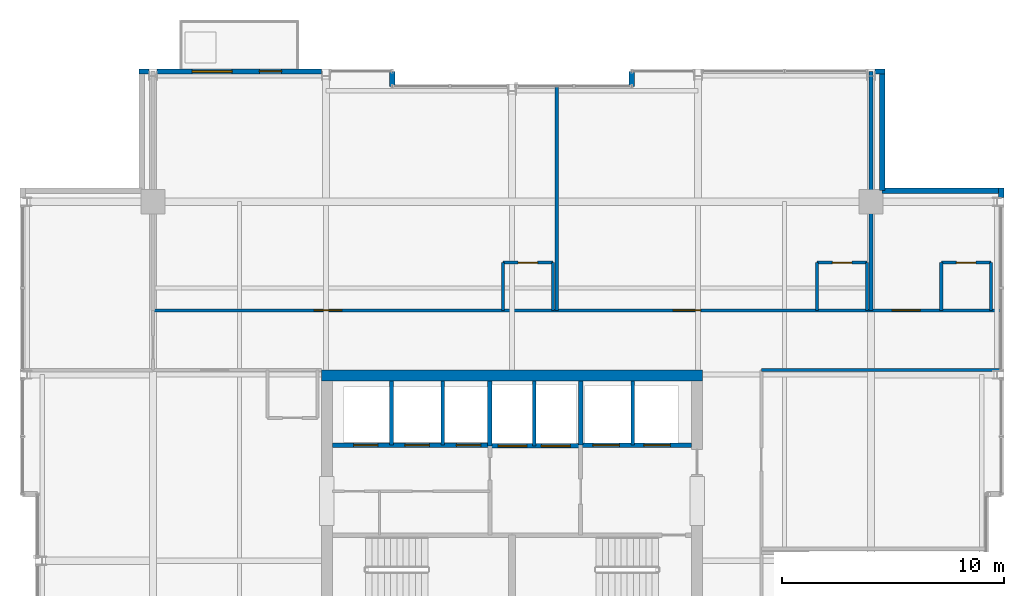
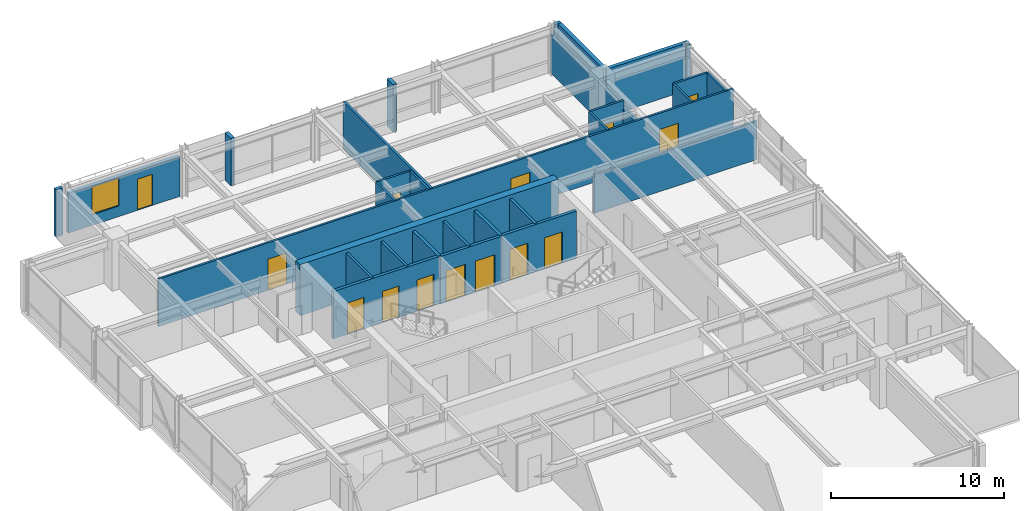
# One storey, part 27 of 31: 31 walls, 14 doors, 1 window, 15 openings.
"""IFC4 building model written with IfcOpenShell, lengths in metres."""

from ifc_helpers import new_model, si_unit, direction, frame, frame_2d, origin, place, context, subcontext, project, spatial, rectangle, extrude, material, layer, layer_set, type_object, element, fill, save


model = new_model("IFC4")

# Units and contexts
model_context = context("Model", 3, precision=1e-05, world=origin(), true_north=direction((0.0, 1.0)))
body_context = subcontext(model_context, "Body", "Model", "MODEL_VIEW")
ifc_project = project(units=[si_unit("LENGTHUNIT", "METRE"), si_unit("AREAUNIT", "SQUARE_METRE"), si_unit("VOLUMEUNIT", "CUBIC_METRE"), si_unit("PLANEANGLEUNIT", "RADIAN"), si_unit("MASSUNIT", "GRAM", prefix="KILO")], contexts=[model_context])

# Site, building, storey
site_placement = place(None, origin())
site = spatial("IfcSite", under=ifc_project, at=site_placement, CompositionType="ELEMENT")
building_placement = place(site_placement, origin())
building = spatial("IfcBuilding", under=site, at=building_placement, Name="Drelvath Grand Hotel", CompositionType="ELEMENT")
storey_placement = place(building_placement, frame((0.0, 0.0, 219.5)))
storey = spatial("IfcBuildingStorey", under=building, at=storey_placement, Name="L57", CompositionType="ELEMENT", Elevation=219.5)

# Wall, openings, doors
ifc_material_1 = material(Name="Concrete C40/50", Category="concrete")
ifc_layer_1 = layer(ifc_material_1, 0.199951171875)
ifc_layer_set_1 = layer_set([ifc_layer_1], Name="Concrete C40/50")
wall_type_1 = type_object("IfcWallType", Name="Core Hoistway Fire Wall 200", PredefinedType="SOLIDWALL", material=ifc_layer_set_1)
wall_1_placement = place(storey_placement, frame((3.10009765625, 32.219970703125, 0.0), z_axis=(0.0, 0.0, 1.0), x_axis=(1.0, 0.0, 0.0)))
wall_1 = element("IfcWall", 1, at=wall_1_placement, inside=storey, type_object=wall_type_1, Name="L57 FSAE Hoistway Front Wall", PredefinedType="SOLIDWALL", context=body_context, shape_type="SweptSolid", body=[
    extrude(rectangle(XDim=5.0, YDim=0.199951171875, at=frame_2d((2.5, 0.0))), origin(), (0.0, 0.0, 1.0), 3.340087890625),
])
opening_1_placement = place(wall_1_placement, frame((0.550048828125, 0.0, 0.0)))
opening_1 = element("IfcOpeningElement", 2, at=opening_1_placement, cuts=wall_1, Name="Opening LD-FSAE-1", PredefinedType="OPENING", context=body_context, shape_type="SweptSolid", body=[
    extrude(rectangle(XDim=1.199951171875, YDim=2.199951171875, at=frame_2d((0.60009765625, 1.10009765625))), frame((0.0, 0.10986328125, 0.0), z_axis=(0.0, -1.0, 0.0), x_axis=(1.0, 0.0, 0.0)), (0.0, 0.0, 1.0), 0.219970703125),
])
opening_2_placement = place(wall_1_placement, frame((2.85009765625, 0.0, 0.0)))
opening_2 = element("IfcOpeningElement", 3, at=opening_2_placement, cuts=wall_1, Name="Opening LD-FSAE-2", PredefinedType="OPENING", context=body_context, shape_type="SweptSolid", body=[
    extrude(rectangle(XDim=1.199951171875, YDim=2.199951171875, at=frame_2d((0.60009765625, 1.10009765625))), frame((0.0, 0.10986328125, 0.0), z_axis=(0.0, -1.0, 0.0), x_axis=(1.0, 0.0, 0.0)), (0.0, 0.0, 1.0), 0.219970703125),
])
ifc_material_2 = material(Name="Stainless Steel S355", Category="steel")
door_type_1 = type_object("IfcDoorType", Name="FSAE Lift Sliding Landing Door 1200x2200", OperationType="NOTDEFINED", PredefinedType="DOOR", material=ifc_material_2)
door_1_placement = place(opening_1_placement, origin())
door_1 = element("IfcDoor", 4, at=door_1_placement, inside=storey, type_object=door_type_1, Name="L57 Lift FSAE-1 Landing Door", OperationType="SLIDING_TO_LEFT", OverallHeight=2.199951171875, OverallWidth=1.199951171875, PredefinedType="DOOR", context=body_context, shape_type="SweptSolid", body=[
    extrude(rectangle(XDim=1.199951171875, YDim=2.199951171875, at=frame_2d((0.60009765625, 1.10009765625))), frame((0.0, 0.02490234375, 0.0), z_axis=(0.0, -1.0, 0.0), x_axis=(1.0, 0.0, 0.0)), (0.0, 0.0, 1.0), 0.050048828125),
])
fill(opening_1, door_1)
door_2_placement = place(opening_2_placement, origin())
door_2 = element("IfcDoor", 5, at=door_2_placement, inside=storey, type_object=door_type_1, Name="L57 Lift FSAE-2 Landing Door", OperationType="SLIDING_TO_LEFT", OverallHeight=2.199951171875, OverallWidth=1.199951171875, PredefinedType="DOOR", context=body_context, shape_type="SweptSolid", body=[
    extrude(rectangle(XDim=1.199951171875, YDim=2.199951171875, at=frame_2d((0.60009765625, 1.10009765625))), frame((0.0, 0.02490234375, 0.0), z_axis=(0.0, -1.0, 0.0), x_axis=(1.0, 0.0, 0.0)), (0.0, 0.0, 1.0), 0.050048828125),
])
fill(opening_2, door_2)

# Wall
wall_2_placement = place(storey_placement, frame((3.10009765625, 32.219970703125, 0.0), z_axis=(0.0, 0.0, 1.0), x_axis=(0.0, 1.0, 0.0)))
element("IfcWall", 6, at=wall_2_placement, inside=storey, type_object=wall_type_1, Name="L57 FSAE Hoistway West Wall", PredefinedType="SOLIDWALL", context=body_context, shape_type="SweptSolid", body=[
    extrude(rectangle(XDim=2.880126953125, YDim=0.199951171875, at=frame_2d((1.43994140625, 0.0))), origin(), (0.0, 0.0, 1.0), 3.340087890625),
])

# Wall, openings, doors
wall_3_placement = place(storey_placement, frame((-1.0, 32.179931640625, 0.0), z_axis=(0.0, 0.0, 1.0), x_axis=(1.0, 0.0, 0.0)))
wall_3 = element("IfcWall", 7, at=wall_3_placement, inside=storey, type_object=wall_type_1, Name="L57 Service Lift Hoistway Wall", PredefinedType="SOLIDWALL", context=body_context, shape_type="SweptSolid", body=[
    extrude(rectangle(XDim=4.10009765625, YDim=0.199951171875, at=frame_2d((2.050048828125, 0.0))), origin(), (0.0, 0.0, 1.0), 3.340087890625),
])
opening_3_placement = place(wall_3_placement, frame((0.3701171875, 0.0, 0.0)))
opening_3 = element("IfcOpeningElement", 8, at=opening_3_placement, cuts=wall_3, Name="Opening LD-SV-2", PredefinedType="OPENING", context=body_context, shape_type="SweptSolid", body=[
    extrude(rectangle(XDim=1.300048828125, YDim=2.199951171875, at=frame_2d((0.64990234375, 1.10009765625))), frame((0.0, 0.10986328125, 0.0), z_axis=(0.0, -1.0, 0.0), x_axis=(1.0, 0.0, 0.0)), (0.0, 0.0, 1.0), 0.219970703125),
])
opening_4_placement = place(wall_3_placement, frame((2.330078125, 0.0, 0.0)))
opening_4 = element("IfcOpeningElement", 9, at=opening_4_placement, cuts=wall_3, Name="Opening LD-SV-1", PredefinedType="OPENING", context=body_context, shape_type="SweptSolid", body=[
    extrude(rectangle(XDim=1.300048828125, YDim=2.199951171875, at=frame_2d((0.64990234375, 1.10009765625))), frame((0.0, 0.10986328125, 0.0), z_axis=(0.0, -1.0, 0.0), x_axis=(1.0, 0.0, 0.0)), (0.0, 0.0, 1.0), 0.219970703125),
])
door_type_2 = type_object("IfcDoorType", Name="Service Lift Sliding Landing Door 1300x2200", OperationType="NOTDEFINED", PredefinedType="DOOR", material=ifc_material_2)
door_3_placement = place(opening_3_placement, origin())
door_3 = element("IfcDoor", 10, at=door_3_placement, inside=storey, type_object=door_type_2, Name="L57 Lift SV-2 Landing Door", OperationType="SLIDING_TO_LEFT", OverallHeight=2.199951171875, OverallWidth=1.300048828125, PredefinedType="DOOR", context=body_context, shape_type="SweptSolid", body=[
    extrude(rectangle(XDim=1.300048828125, YDim=2.199951171875, at=frame_2d((0.64990234375, 1.10009765625))), frame((0.0, 0.02490234375, 0.0), z_axis=(0.0, -1.0, 0.0), x_axis=(1.0, 0.0, 0.0)), (0.0, 0.0, 1.0), 0.050048828125),
])
fill(opening_3, door_3)
door_4_placement = place(opening_4_placement, origin())
door_4 = element("IfcDoor", 11, at=door_4_placement, inside=storey, type_object=door_type_2, Name="L57 Lift SV-1 Landing Door", OperationType="SLIDING_TO_LEFT", OverallHeight=2.199951171875, OverallWidth=1.300048828125, PredefinedType="DOOR", context=body_context, shape_type="SweptSolid", body=[
    extrude(rectangle(XDim=1.300048828125, YDim=2.199951171875, at=frame_2d((0.64990234375, 1.10009765625))), frame((0.0, 0.02490234375, 0.0), z_axis=(0.0, -1.0, 0.0), x_axis=(1.0, 0.0, 0.0)), (0.0, 0.0, 1.0), 0.050048828125),
])
fill(opening_4, door_4)

# Wall
wall_4_placement = place(storey_placement, frame((-1.0, 32.179931640625, 0.0), z_axis=(0.0, 0.0, 1.0), x_axis=(0.0, 1.0, 0.0)))
element("IfcWall", 12, at=wall_4_placement, inside=storey, type_object=wall_type_1, Name="L57 Service Lift West Wall", PredefinedType="SOLIDWALL", context=body_context, shape_type="SweptSolid", body=[
    extrude(rectangle(XDim=2.920166015625, YDim=0.199951171875, at=frame_2d((1.4599609375, 0.0))), origin(), (0.0, 0.0, 1.0), 3.340087890625),
])

# Wall, openings, doors
wall_5_placement = place(storey_placement, frame((-8.10009765625, 32.219970703125, 0.0), z_axis=(0.0, 0.0, 1.0), x_axis=(1.0, 0.0, 0.0)))
wall_5 = element("IfcWall", 13, at=wall_5_placement, inside=storey, type_object=wall_type_1, Name="L57 Bank 3 Hoistway Wall", PredefinedType="SOLIDWALL", context=body_context, shape_type="SweptSolid", body=[
    extrude(rectangle(XDim=7.10009765625, YDim=0.199951171875, at=frame_2d((3.550048828125, 0.0))), origin(), (0.0, 0.0, 1.0), 3.340087890625),
])
opening_5_placement = place(wall_5_placement, frame((0.949951171875, 0.0, 0.0)))
opening_5 = element("IfcOpeningElement", 14, at=opening_5_placement, cuts=wall_5, Name="Opening LD-PE-7", PredefinedType="OPENING", context=body_context, shape_type="SweptSolid", body=[
    extrude(rectangle(XDim=1.10009765625, YDim=2.199951171875, at=frame_2d((0.550048828125, 1.10009765625))), frame((0.0, 0.10986328125, 0.0), z_axis=(0.0, -1.0, 0.0), x_axis=(1.0, 0.0, 0.0)), (0.0, 0.0, 1.0), 0.219970703125),
])
opening_6_placement = place(wall_5_placement, frame((3.27001953125, 0.0, 0.0)))
opening_6 = element("IfcOpeningElement", 15, at=opening_6_placement, cuts=wall_5, Name="Opening LD-PE-8", PredefinedType="OPENING", context=body_context, shape_type="SweptSolid", body=[
    extrude(rectangle(XDim=1.10009765625, YDim=2.199951171875, at=frame_2d((0.550048828125, 1.10009765625))), frame((0.0, 0.10986328125, 0.0), z_axis=(0.0, -1.0, 0.0), x_axis=(1.0, 0.0, 0.0)), (0.0, 0.0, 1.0), 0.219970703125),
])
opening_7_placement = place(wall_5_placement, frame((5.590087890625, 0.0, 0.0)))
opening_7 = element("IfcOpeningElement", 16, at=opening_7_placement, cuts=wall_5, Name="Opening LD-PE-9", PredefinedType="OPENING", context=body_context, shape_type="SweptSolid", body=[
    extrude(rectangle(XDim=1.10009765625, YDim=2.199951171875, at=frame_2d((0.550048828125, 1.10009765625))), frame((0.0, 0.10986328125, 0.0), z_axis=(0.0, -1.0, 0.0), x_axis=(1.0, 0.0, 0.0)), (0.0, 0.0, 1.0), 0.219970703125),
])
door_type_3 = type_object("IfcDoorType", Name="Passenger Lift Sliding Landing Door 1100x2200", OperationType="NOTDEFINED", PredefinedType="DOOR", material=ifc_material_2)
door_5_placement = place(opening_5_placement, origin())
door_5 = element("IfcDoor", 17, at=door_5_placement, inside=storey, type_object=door_type_3, Name="L57 Lift PE-7 Landing Door", OperationType="SLIDING_TO_LEFT", OverallHeight=2.199951171875, OverallWidth=1.10009765625, PredefinedType="DOOR", context=body_context, shape_type="SweptSolid", body=[
    extrude(rectangle(XDim=1.10009765625, YDim=2.199951171875, at=frame_2d((0.550048828125, 1.10009765625))), frame((0.0, 0.02490234375, 0.0), z_axis=(0.0, -1.0, 0.0), x_axis=(1.0, 0.0, 0.0)), (0.0, 0.0, 1.0), 0.050048828125),
])
fill(opening_5, door_5)
door_6_placement = place(opening_6_placement, origin())
door_6 = element("IfcDoor", 18, at=door_6_placement, inside=storey, type_object=door_type_3, Name="L57 Lift PE-8 Landing Door", OperationType="SLIDING_TO_LEFT", OverallHeight=2.199951171875, OverallWidth=1.10009765625, PredefinedType="DOOR", context=body_context, shape_type="SweptSolid", body=[
    extrude(rectangle(XDim=1.10009765625, YDim=2.199951171875, at=frame_2d((0.550048828125, 1.10009765625))), frame((0.0, 0.02490234375, 0.0), z_axis=(0.0, -1.0, 0.0), x_axis=(1.0, 0.0, 0.0)), (0.0, 0.0, 1.0), 0.050048828125),
])
fill(opening_6, door_6)
door_7_placement = place(opening_7_placement, origin())
door_7 = element("IfcDoor", 19, at=door_7_placement, inside=storey, type_object=door_type_3, Name="L57 Lift PE-9 Landing Door", OperationType="SLIDING_TO_LEFT", OverallHeight=2.199951171875, OverallWidth=1.10009765625, PredefinedType="DOOR", context=body_context, shape_type="SweptSolid", body=[
    extrude(rectangle(XDim=1.10009765625, YDim=2.199951171875, at=frame_2d((0.550048828125, 1.10009765625))), frame((0.0, 0.02490234375, 0.0), z_axis=(0.0, -1.0, 0.0), x_axis=(1.0, 0.0, 0.0)), (0.0, 0.0, 1.0), 0.050048828125),
])
fill(opening_7, door_7)

# Walls
ifc_material_3 = material(Name="Gypsum Fireboard Partition")
ifc_layer_2 = layer(ifc_material_3, 0.1650390625)
ifc_layer_set_2 = layer_set([ifc_layer_2], Name="Gypsum Fireboard Partition")
wall_type_2 = type_object("IfcWallType", Name="Core Shaft Partition 165", PredefinedType="PARTITIONING", material=ifc_layer_set_2)
wall_6_placement = place(storey_placement, frame((5.449951171875, 32.219970703125, 0.0), z_axis=(0.0, 0.0, 1.0), x_axis=(0.0, 1.0, 0.0)))
element("IfcWall", 20, at=wall_6_placement, inside=storey, type_object=wall_type_2, Name="L57 FSAE Hoistway Divider", PredefinedType="PARTITIONING", context=body_context, shape_type="SweptSolid", body=[
    extrude(rectangle(XDim=2.880126953125, YDim=0.1650390625, at=frame_2d((1.43994140625, 0.0))), origin(), (0.0, 0.0, 1.0), 3.340087890625),
])
wall_7_placement = place(storey_placement, frame((1.0, 32.179931640625, 0.0), z_axis=(0.0, 0.0, 1.0), x_axis=(0.0, 1.0, 0.0)))
element("IfcWall", 21, at=wall_7_placement, inside=storey, type_object=wall_type_2, Name="L57 Service Lift Divider", PredefinedType="PARTITIONING", context=body_context, shape_type="SweptSolid", body=[
    extrude(rectangle(XDim=2.920166015625, YDim=0.1650390625, at=frame_2d((1.4599609375, 0.0))), origin(), (0.0, 0.0, 1.0), 3.340087890625),
])
for number, where, z_axis, x_axis, name in (
    (22, (-5.43994140625, 32.219970703125, 0.0), (0.0, 0.0, 1.0), (0.0, 1.0, 0.0), "L57 Lift PE-7/8 Divider"),
    (23, (-3.1201171875, 32.219970703125, 0.0), (0.0, 0.0, 1.0), (0.0, 1.0, 0.0), "L57 Lift PE-8/9 Divider"),
):
    element("IfcWall", number, at=place(storey_placement, frame(where, z_axis=z_axis, x_axis=x_axis)), inside=storey, type_object=wall_type_2, Name=name, PredefinedType="PARTITIONING", context=body_context, shape_type="SweptSolid", body=[
        extrude(rectangle(XDim=2.880126953125, YDim=0.1650390625, at=frame_2d((1.43994140625, 0.0))), origin(), (0.0, 0.0, 1.0), 3.340087890625),
    ])

# Wall, openings, doors
ifc_layer_3 = layer(ifc_material_3, 0.135009765625)
ifc_layer_set_3 = layer_set([ifc_layer_3], Name="Gypsum Fireboard Partition")
wall_type_3 = type_object("IfcWallType", Name="Corridor Fire Barrier Wall 135", PredefinedType="PARTITIONING", material=ifc_layer_set_3)
wall_8_placement = place(storey_placement, frame((-16.199951171875, 38.300048828125, 0.0), z_axis=(0.0, 0.0, 1.0), x_axis=(1.0, 0.0, 0.0)))
wall_8 = element("IfcWall", 24, at=wall_8_placement, inside=storey, type_object=wall_type_3, Name="L57 North Cross-Gallery Wall", PredefinedType="PARTITIONING", context=body_context, shape_type="SweptSolid", body=[
    extrude(rectangle(XDim=38.280029296875, YDim=0.135009765625, at=frame_2d((19.14013671875, 0.0))), origin(), (0.0, 0.0, 1.0), 3.340087890625),
])
opening_8_placement = place(wall_8_placement, frame((33.35498046875, 0.0, 0.0)))
opening_8 = element("IfcOpeningElement", 25, at=opening_8_placement, cuts=wall_8, Name="Opening D-T4G2-025", PredefinedType="OPENING", context=body_context, shape_type="SweptSolid", body=[
    extrude(rectangle(XDim=1.260009765625, YDim=2.199951171875, at=frame_2d((0.6298828125, 1.10009765625))), frame((0.0, 0.077392578125, 0.0), z_axis=(0.0, -1.0, 0.0), x_axis=(1.0, 0.0, 0.0)), (0.0, 0.0, 1.0), 0.155029296875),
])
opening_9_placement = place(wall_8_placement, frame((7.267578125, 0.0, 0.0)))
opening_9 = element("IfcOpeningElement", 26, at=opening_9_placement, cuts=wall_8, Name="Opening D-T4G2-032", PredefinedType="OPENING", context=body_context, shape_type="SweptSolid", body=[
    extrude(rectangle(XDim=1.260009765625, YDim=2.199951171875, at=frame_2d((0.6298828125, 1.10009765625))), frame((0.0, 0.077392578125, 0.0), z_axis=(0.0, -1.0, 0.0), x_axis=(1.0, 0.0, 0.0)), (0.0, 0.0, 1.0), 0.155029296875),
])
opening_10_placement = place(wall_8_placement, frame((23.467529296875, 0.0, 0.0)))
opening_10 = element("IfcOpeningElement", 27, at=opening_10_placement, cuts=wall_8, Name="Opening D-T4G2-034", PredefinedType="OPENING", context=body_context, shape_type="SweptSolid", body=[
    extrude(rectangle(XDim=1.260009765625, YDim=2.199951171875, at=frame_2d((0.6298828125, 1.10009765625))), frame((0.0, 0.077392578125, 0.0), z_axis=(0.0, -1.0, 0.0), x_axis=(1.0, 0.0, 0.0)), (0.0, 0.0, 1.0), 0.155029296875),
])
ifc_material_4 = material(Name="Hardwood Walnut Timber", Category="wood")
door_type_4 = type_object("IfcDoorType", Name="Suite Entrance Fire Door 1260x2200", OperationType="NOTDEFINED", PredefinedType="DOOR", material=ifc_material_4)
door_8_placement = place(opening_8_placement, origin())
door_8 = element("IfcDoor", 28, at=door_8_placement, inside=storey, type_object=door_type_4, Name="L57 Diplomatic Suite Entry Door", OperationType="SINGLE_SWING_RIGHT", OverallHeight=2.199951171875, OverallWidth=1.260009765625, PredefinedType="DOOR", context=body_context, shape_type="SweptSolid", body=[
    extrude(rectangle(XDim=1.260009765625, YDim=2.199951171875, at=frame_2d((0.6298828125, 1.10009765625))), frame((0.0, 0.02490234375, 0.0), z_axis=(0.0, -1.0, 0.0), x_axis=(1.0, 0.0, 0.0)), (0.0, 0.0, 1.0), 0.050048828125),
])
fill(opening_8, door_8)
door_9_placement = place(opening_9_placement, origin())
door_9 = element("IfcDoor", 29, at=door_9_placement, inside=storey, type_object=door_type_4, Name="L57 Diplomatic Suite Entry Door", OperationType="SINGLE_SWING_LEFT", OverallHeight=2.199951171875, OverallWidth=1.260009765625, PredefinedType="DOOR", context=body_context, shape_type="SweptSolid", body=[
    extrude(rectangle(XDim=1.260009765625, YDim=2.199951171875, at=frame_2d((0.6298828125, 1.10009765625))), frame((0.0, 0.02490234375, 0.0), z_axis=(0.0, -1.0, 0.0), x_axis=(1.0, 0.0, 0.0)), (0.0, 0.0, 1.0), 0.050048828125),
])
fill(opening_9, door_9)
door_10_placement = place(opening_10_placement, origin())
door_10 = element("IfcDoor", 30, at=door_10_placement, inside=storey, type_object=door_type_4, Name="L57 Diplomatic Suite Entry Door", OperationType="SINGLE_SWING_LEFT", OverallHeight=2.199951171875, OverallWidth=1.260009765625, PredefinedType="DOOR", context=body_context, shape_type="SweptSolid", body=[
    extrude(rectangle(XDim=1.260009765625, YDim=2.199951171875, at=frame_2d((0.6298828125, 1.10009765625))), frame((0.0, 0.02490234375, 0.0), z_axis=(0.0, -1.0, 0.0), x_axis=(1.0, 0.0, 0.0)), (0.0, 0.0, 1.0), 0.050048828125),
])
fill(opening_10, door_10)

# Walls
wall_9_placement = place(storey_placement, frame((11.25, 35.60009765625, 0.0), z_axis=(0.0, 0.0, 1.0), x_axis=(1.0, 0.0, 0.0)))
element("IfcWall", 31, at=wall_9_placement, inside=storey, type_object=wall_type_3, Name="L57 North Gallery Inner East Wall", PredefinedType="PARTITIONING", context=body_context, shape_type="SweptSolid", body=[
    extrude(rectangle(XDim=10.830078125, YDim=0.135009765625, at=frame_2d((5.4150390625, 0.0))), origin(), (0.0, 0.0, 1.0), 2.71728515625),
])
ifc_material_5 = material(Name="Moisture-Resistant Gypsum Board")
ifc_layer_4 = layer(ifc_material_5, 0.139892578125)
ifc_layer_set_4 = layer_set([ifc_layer_4], Name="Moisture-Resistant Gypsum Board")
wall_type_4 = type_object("IfcWallType", Name="En-Suite Plumbing Wall 140", PredefinedType="PLUMBINGWALL", material=ifc_layer_set_4)
for number, where, z_axis, x_axis, name in (
    (32, (19.3701171875, 38.300048828125, 0.0), (0.0, 0.0, 1.0), (0.0, 1.0, 0.0), "L57 En-Suite Left Wall"),
    (33, (21.6201171875, 38.300048828125, 0.0), (0.0, 0.0, 1.0), (0.0, 1.0, 0.0), "L57 En-Suite Right Wall"),
):
    element("IfcWall", number, at=place(storey_placement, frame(where, z_axis=z_axis, x_axis=x_axis)), inside=storey, type_object=wall_type_4, Name=name, PredefinedType="PLUMBINGWALL", context=body_context, shape_type="SweptSolid", body=[
        extrude(rectangle(XDim=2.14990234375, YDim=0.139892578125, at=frame_2d((1.074951171875, 0.0))), origin(), (0.0, 0.0, 1.0), 3.340087890625),
    ])

# Wall, opening, door
wall_10_placement = place(storey_placement, frame((19.3701171875, 40.449951171875, 0.0), z_axis=(0.0, 0.0, 1.0), x_axis=(1.0, 0.0, 0.0)))
wall_10 = element("IfcWall", 34, at=wall_10_placement, inside=storey, type_object=wall_type_4, Name="L57 En-Suite Front Wall", PredefinedType="PLUMBINGWALL", context=body_context, shape_type="SweptSolid", body=[
    extrude(rectangle(XDim=2.25, YDim=0.139892578125, at=frame_2d((1.125, 0.0))), origin(), (0.0, 0.0, 1.0), 3.340087890625),
])
opening_11_placement = place(wall_10_placement, frame((0.68505859375, 0.0, 0.0)))
opening_11 = element("IfcOpeningElement", 35, at=opening_11_placement, cuts=wall_10, Name="Opening D-T4G2-024", PredefinedType="OPENING", context=body_context, shape_type="SweptSolid", body=[
    extrude(rectangle(XDim=0.8798828125, YDim=2.10009765625, at=frame_2d((0.43994140625, 1.050048828125))), frame((0.0, 0.079833984375, 0.0), z_axis=(0.0, -1.0, 0.0), x_axis=(1.0, 0.0, 0.0)), (0.0, 0.0, 1.0), 0.159912109375),
])
door_type_5 = type_object("IfcDoorType", Name="En-Suite Bathroom Door 880x2100", OperationType="NOTDEFINED", PredefinedType="DOOR", material=ifc_material_4)
door_11_placement = place(opening_11_placement, origin())
door_11 = element("IfcDoor", 36, at=door_11_placement, inside=storey, type_object=door_type_5, Name="L57 En-Suite Bathroom Door", OperationType="SINGLE_SWING_LEFT", OverallHeight=2.10009765625, OverallWidth=0.8798828125, PredefinedType="DOOR", context=body_context, shape_type="SweptSolid", body=[
    extrude(rectangle(XDim=0.8798828125, YDim=2.10009765625, at=frame_2d((0.43994140625, 1.050048828125))), frame((0.0, 0.02490234375, 0.0), z_axis=(0.0, -1.0, 0.0), x_axis=(1.0, 0.0, 0.0)), (0.0, 0.0, 1.0), 0.050048828125),
])
fill(opening_11, door_11)

# Walls
for number, where, z_axis, x_axis, name in (
    (37, (-0.405029296875, 38.300048828125, 0.0), (0.0, 0.0, 1.0), (0.0, 1.0, 0.0), "L57 En-Suite Left Wall"),
    (38, (1.844970703125, 38.300048828125, 0.0), (0.0, 0.0, 1.0), (0.0, 1.0, 0.0), "L57 En-Suite Right Wall"),
):
    element("IfcWall", number, at=place(storey_placement, frame(where, z_axis=z_axis, x_axis=x_axis)), inside=storey, type_object=wall_type_4, Name=name, PredefinedType="PLUMBINGWALL", context=body_context, shape_type="SweptSolid", body=[
        extrude(rectangle(XDim=2.14990234375, YDim=0.139892578125, at=frame_2d((1.074951171875, 0.0))), origin(), (0.0, 0.0, 1.0), 3.340087890625),
    ])

# Wall, opening, door
wall_11_placement = place(storey_placement, frame((-0.405029296875, 40.449951171875, 0.0), z_axis=(0.0, 0.0, 1.0), x_axis=(1.0, 0.0, 0.0)))
wall_11 = element("IfcWall", 39, at=wall_11_placement, inside=storey, type_object=wall_type_4, Name="L57 En-Suite Front Wall", PredefinedType="PLUMBINGWALL", context=body_context, shape_type="SweptSolid", body=[
    extrude(rectangle(XDim=2.25, YDim=0.139892578125, at=frame_2d((1.125, 0.0))), origin(), (0.0, 0.0, 1.0), 3.340087890625),
])
opening_12_placement = place(wall_11_placement, frame((0.68505859375, 0.0, 0.0)))
opening_12 = element("IfcOpeningElement", 40, at=opening_12_placement, cuts=wall_11, Name="Opening D-T4G2-031", PredefinedType="OPENING", context=body_context, shape_type="SweptSolid", body=[
    extrude(rectangle(XDim=0.8798828125, YDim=2.10009765625, at=frame_2d((0.43994140625, 1.050048828125))), frame((0.0, 0.079833984375, 0.0), z_axis=(0.0, -1.0, 0.0), x_axis=(1.0, 0.0, 0.0)), (0.0, 0.0, 1.0), 0.159912109375),
])
door_12_placement = place(opening_12_placement, origin())
door_12 = element("IfcDoor", 41, at=door_12_placement, inside=storey, type_object=door_type_5, Name="L57 En-Suite Bathroom Door", OperationType="SINGLE_SWING_RIGHT", OverallHeight=2.10009765625, OverallWidth=0.8798828125, PredefinedType="DOOR", context=body_context, shape_type="SweptSolid", body=[
    extrude(rectangle(XDim=0.8798828125, YDim=2.10009765625, at=frame_2d((0.43994140625, 1.050048828125))), frame((0.0, 0.02490234375, 0.0), z_axis=(0.0, -1.0, 0.0), x_axis=(1.0, 0.0, 0.0)), (0.0, 0.0, 1.0), 0.050048828125),
])
fill(opening_12, door_12)

# Walls
wall_12_placement = place(storey_placement, frame((13.77001953125, 38.300048828125, 0.0), z_axis=(0.0, 0.0, 1.0), x_axis=(0.0, 1.0, 0.0)))
element("IfcWall", 42, at=wall_12_placement, inside=storey, type_object=wall_type_4, Name="L57 En-Suite Left Wall", PredefinedType="PLUMBINGWALL", context=body_context, shape_type="SweptSolid", body=[
    extrude(rectangle(XDim=2.14990234375, YDim=0.139892578125, at=frame_2d((1.074951171875, 0.0))), origin(), (0.0, 0.0, 1.0), 3.340087890625),
])
wall_13_placement = place(storey_placement, frame((16.02001953125, 38.300048828125, 0.0), z_axis=(0.0, 0.0, 1.0), x_axis=(0.0, 1.0, 0.0)))
element("IfcWall", 43, at=wall_13_placement, inside=storey, type_object=wall_type_4, Name="L57 En-Suite Right Wall", PredefinedType="PLUMBINGWALL", context=body_context, shape_type="SweptSolid", body=[
    extrude(rectangle(XDim=2.14990234375, YDim=0.139892578125, at=frame_2d((1.074951171875, 0.0))), origin(), (0.0, 0.0, 1.0), 2.7138671875),
])

# Wall, opening, door
wall_14_placement = place(storey_placement, frame((13.77001953125, 40.449951171875, 0.0), z_axis=(0.0, 0.0, 1.0), x_axis=(1.0, 0.0, 0.0)))
wall_14 = element("IfcWall", 44, at=wall_14_placement, inside=storey, type_object=wall_type_4, Name="L57 En-Suite Front Wall", PredefinedType="PLUMBINGWALL", context=body_context, shape_type="SweptSolid", body=[
    extrude(rectangle(XDim=2.25, YDim=0.139892578125, at=frame_2d((1.125, 0.0))), origin(), (0.0, 0.0, 1.0), 3.340087890625),
])
opening_13_placement = place(wall_14_placement, frame((0.68505859375, 0.0, 0.0)))
opening_13 = element("IfcOpeningElement", 45, at=opening_13_placement, cuts=wall_14, Name="Opening D-T4G2-033", PredefinedType="OPENING", context=body_context, shape_type="SweptSolid", body=[
    extrude(rectangle(XDim=0.8798828125, YDim=2.10009765625, at=frame_2d((0.43994140625, 1.050048828125))), frame((0.0, 0.079833984375, 0.0), z_axis=(0.0, -1.0, 0.0), x_axis=(1.0, 0.0, 0.0)), (0.0, 0.0, 1.0), 0.159912109375),
])
door_13_placement = place(opening_13_placement, origin())
door_13 = element("IfcDoor", 46, at=door_13_placement, inside=storey, type_object=door_type_5, Name="L57 En-Suite Bathroom Door", OperationType="SINGLE_SWING_RIGHT", OverallHeight=2.10009765625, OverallWidth=0.8798828125, PredefinedType="DOOR", context=body_context, shape_type="SweptSolid", body=[
    extrude(rectangle(XDim=0.8798828125, YDim=2.10009765625, at=frame_2d((0.43994140625, 1.050048828125))), frame((0.0, 0.02490234375, 0.0), z_axis=(0.0, -1.0, 0.0), x_axis=(1.0, 0.0, 0.0)), (0.0, 0.0, 1.0), 0.050048828125),
])
fill(opening_13, door_13)

# Walls
ifc_material_6 = material(Name="Gypsum Acoustic Partition")
ifc_layer_5 = layer(ifc_material_6, 0.14990234375)
ifc_layer_set_5 = layer_set([ifc_layer_5], Name="Gypsum Acoustic Partition")
wall_type_5 = type_object("IfcWallType", Name="Guestroom Demising Wall 150", PredefinedType="PARTITIONING", material=ifc_layer_set_5)
wall_15_placement = place(storey_placement, frame((2.02490234375, 38.300048828125, 0.0), z_axis=(0.0, 0.0, 1.0), x_axis=(0.0, 1.0, 0.0)))
element("IfcWall", 47, at=wall_15_placement, inside=storey, type_object=wall_type_5, Name="L57 North Demising 1", PredefinedType="PARTITIONING", context=body_context, shape_type="SweptSolid", body=[
    extrude(rectangle(XDim=10.099853515625, YDim=0.14990234375, at=frame_2d((5.0498046875, 0.0))), origin(), (0.0, 0.0, 1.0), 3.340087890625),
])
ifc_layer_6 = layer(ifc_material_6, 0.1650390625)
ifc_layer_set_6 = layer_set([ifc_layer_6], Name="Gypsum Acoustic Partition")
wall_type_6 = type_object("IfcWallType", Name="Suite Demising Wall 165", PredefinedType="PARTITIONING", material=ifc_layer_set_6)
wall_16_placement = place(storey_placement, frame((16.199951171875, 38.300048828125, 0.0), z_axis=(0.0, 0.0, 1.0), x_axis=(0.0, 1.0, 0.0)))
element("IfcWall", 48, at=wall_16_placement, inside=storey, type_object=wall_type_6, Name="L57 NE Suite Wall", PredefinedType="PARTITIONING", context=body_context, shape_type="SweptSolid", body=[
    extrude(rectangle(XDim=10.780029296875, YDim=0.1650390625, at=frame_2d((5.39013671875, 0.0))), origin(), (0.0, 0.0, 1.0), 2.7138671875),
])
ifc_material_7 = material(Name="Pale-Metal Insulated Aluminium Spandrel Assembly", Category="aluminium")
ifc_layer_7 = layer(ifc_material_7, 0.239990234375)
ifc_layer_set_7 = layer_set([ifc_layer_7], Name="Pale-Metal Insulated Aluminium Spandrel Assembly")
wall_type_7 = type_object("IfcWallType", Name="Tower Insulated Metal Spandrel Closure Wall 240", PredefinedType="STANDARD", material=ifc_layer_set_7)
for number, where, z_axis, x_axis, name in (
    (49, (22.080078125, 43.820068359375, 0.0), (0.0, 0.0, 1.0), (0.0, -1.0, 0.0), "L57 Corner Pier Spandrel Wall EN3"),
    (50, (-16.820068359375, 49.080078125, 0.0), (0.0, 0.0, 1.0), (1.0, 0.0, 0.0), "L57 Corner Pier Spandrel Wall NW1"),
):
    element("IfcWall", number, at=place(storey_placement, frame(where, z_axis=z_axis, x_axis=x_axis)), inside=storey, type_object=wall_type_7, Name=name, PredefinedType="STANDARD", context=body_context, shape_type="SweptSolid", body=[
        extrude(rectangle(XDim=0.434814453125, YDim=0.239990234375, at=frame_2d((0.21728515625, 0.0))), origin(), (0.0, 0.0, 1.0), 3.340087890625),
    ])

# Wall, openings, window, door
wall_17_placement = place(storey_placement, frame((-16.0146484375, 49.080078125, 0.0), z_axis=(0.0, 0.0, 1.0), x_axis=(1.0, 0.0, 0.0)))
wall_17 = element("IfcWall", 51, at=wall_17_placement, inside=storey, type_object=wall_type_7, Name="L57 Exterior Terrace Door Bay Wall NW2", PredefinedType="STANDARD", context=body_context, shape_type="SweptSolid", body=[
    extrude(rectangle(XDim=7.429443359375, YDim=0.239990234375, at=frame_2d((3.71484375, 0.0))), origin(), (0.0, 0.0, 1.0), 2.80322265625),
])
opening_14_placement = place(wall_17_placement, frame((4.61474609375, 0.0, 0.0)))
opening_14 = element("IfcOpeningElement", 52, at=opening_14_placement, cuts=wall_17, Name="Opening TD-1000", PredefinedType="OPENING", context=body_context, shape_type="SweptSolid", body=[
    extrude(rectangle(XDim=1.0, YDim=2.199951171875, at=frame_2d((0.5, 1.10009765625))), frame((0.0, 0.1298828125, 0.0), z_axis=(0.0, -1.0, 0.0), x_axis=(1.0, 0.0, 0.0)), (0.0, 0.0, 1.0), 0.260009765625),
])
opening_15_placement = place(wall_17_placement, frame((1.5830078125, 0.0, 0.75)))
opening_15 = element("IfcOpeningElement", 53, at=opening_15_placement, cuts=wall_17, Name="Opening W-02", PredefinedType="OPENING", context=body_context, shape_type="SweptSolid", body=[
    extrude(rectangle(XDim=1.800048828125, YDim=1.953369140625, at=frame_2d((0.89990234375, 0.9765625))), frame((0.0, 0.1298828125, 0.0), z_axis=(0.0, -1.0, 0.0), x_axis=(1.0, 0.0, 0.0)), (0.0, 0.0, 1.0), 0.260009765625),
])
ifc_material_8 = material(Name="Bronze Anodised Low-E Triple Glazing", Category="glass")
window_type = type_object("IfcWindowType", Name="Chicago Double-Pane Podium Window 1800x2400", PartitioningType="DOUBLE_PANEL_VERTICAL", PredefinedType="WINDOW", material=ifc_material_8)
window_placement = place(opening_15_placement, origin())
window = element("IfcWindow", 54, at=window_placement, inside=storey, type_object=window_type, Name="L57 Terrace Bay Companion Window NW2", OverallHeight=1.953369140625, OverallWidth=1.800048828125, PartitioningType="SINGLE_PANEL", PredefinedType="WINDOW", context=body_context, shape_type="SweptSolid", body=[
    extrude(rectangle(XDim=1.800048828125, YDim=1.953369140625, at=frame_2d((0.89990234375, 0.9765625))), frame((0.0, 0.030029296875, 0.0), z_axis=(0.0, -1.0, 0.0), x_axis=(1.0, 0.0, 0.0)), (0.0, 0.0, 1.0), 0.06005859375),
])
fill(opening_15, window)
ifc_material_9 = material(Name="Anodised Aluminium Thermally Broken Glazed Door", Category="aluminium")
door_type_6 = type_object("IfcDoorType", Name="Terrace and Tree Balcony Glazed Door 1000x2200", OperationType="NOTDEFINED", PredefinedType="DOOR", material=ifc_material_9)
door_14_placement = place(opening_14_placement, origin())
door_14 = element("IfcDoor", 55, at=door_14_placement, inside=storey, type_object=door_type_6, Name="L57 Tree Balcony Door DOOR-L57-TBAL-1", OperationType="SINGLE_SWING_RIGHT", OverallHeight=2.199951171875, OverallWidth=1.0, PredefinedType="DOOR", context=body_context, shape_type="SweptSolid", body=[
    extrude(rectangle(XDim=1.0, YDim=2.199951171875, at=frame_2d((0.5, 1.10009765625))), frame((0.0, 0.02490234375, 0.0), z_axis=(0.0, -1.0, 0.0), x_axis=(1.0, 0.0, 0.0)), (0.0, 0.0, 1.0), 0.050048828125),
])
fill(opening_14, door_14)

# Walls
wall_18_placement = place(storey_placement, frame((16.38525390625, 49.080078125, 0.0), z_axis=(0.0, 0.0, 1.0), x_axis=(1.0, 0.0, 0.0)))
element("IfcWall", 56, at=wall_18_placement, inside=storey, type_object=wall_type_7, Name="L57 Corner Pier Spandrel Wall NE3", PredefinedType="STANDARD", context=body_context, shape_type="SweptSolid", body=[
    extrude(rectangle(XDim=0.434814453125, YDim=0.239990234375, at=frame_2d((0.21728515625, 0.0))), origin(), (0.0, 0.0, 1.0), 3.340087890625),
])
for number, where, z_axis, x_axis, name in (
    (57, (16.699951171875, 48.9599609375, 0.0), (0.0, 0.0, 1.0), (0.0, -1.0, 0.0), "L57 Notched Corner Return Spandrel Wall CNE1"),
    (58, (16.699951171875, 43.699951171875, 0.0), (0.0, 0.0, 1.0), (1.0, 0.0, 0.0), "L57 Notched Corner Return Spandrel Wall CNE2"),
):
    element("IfcWall", number, at=place(storey_placement, frame(where, z_axis=z_axis, x_axis=x_axis)), inside=storey, type_object=wall_type_7, Name=name, PredefinedType="STANDARD", context=body_context, shape_type="SweptSolid", body=[
        extrude(rectangle(XDim=5.260009765625, YDim=0.239990234375, at=frame_2d((2.6298828125, 0.0))), origin(), (0.0, 0.0, 1.0), 3.340087890625),
    ])
for number, where, z_axis, x_axis, name in (
    (59, (-5.39990234375, 49.080078125, 0.0), (0.0, 0.0, 1.0), (0.0, -1.0, 0.0), "L57 Notched Corner Return Spandrel Wall RN1"),
    (60, (5.39990234375, 48.39990234375, 0.0), (0.0, 0.0, 1.0), (0.0, 1.0, 0.0), "L57 Notched Corner Return Spandrel Wall RN2"),
):
    element("IfcWall", number, at=place(storey_placement, frame(where, z_axis=z_axis, x_axis=x_axis)), inside=storey, type_object=wall_type_7, Name=name, PredefinedType="STANDARD", context=body_context, shape_type="SweptSolid", body=[
        extrude(rectangle(XDim=0.68017578125, YDim=0.239990234375, at=frame_2d((0.340087890625, 0.0))), origin(), (0.0, 0.0, 1.0), 3.340087890625),
    ])
ifc_material_10 = material(Name="Concrete f'c 55 MPa", Category="concrete")
ifc_layer_8 = layer(ifc_material_10, 0.5)
ifc_layer_set_8 = layer_set([ifc_layer_8], Name="Concrete f'c 55 MPa")
wall_type_8 = type_object("IfcWallType", Name="Upper Core RC Shear Wall 500", PredefinedType="SHEAR", material=ifc_layer_set_8)
wall_19_placement = place(storey_placement, frame((-8.60009765625, 35.35009765625, 0.0), z_axis=(0.0, 0.0, 1.0), x_axis=(1.0, 0.0, 0.0)))
element("IfcWall", 61, at=wall_19_placement, inside=storey, type_object=wall_type_8, Name="L57 Central Core Shear Wall N", PredefinedType="SHEAR", context=body_context, shape_type="SweptSolid", body=[
    extrude(rectangle(XDim=17.2001953125, YDim=0.5, at=frame_2d((8.60009765625, 0.0))), origin(), (0.0, 0.0, 1.0), 3.60009765625),
])

save(model, "model.ifc")
